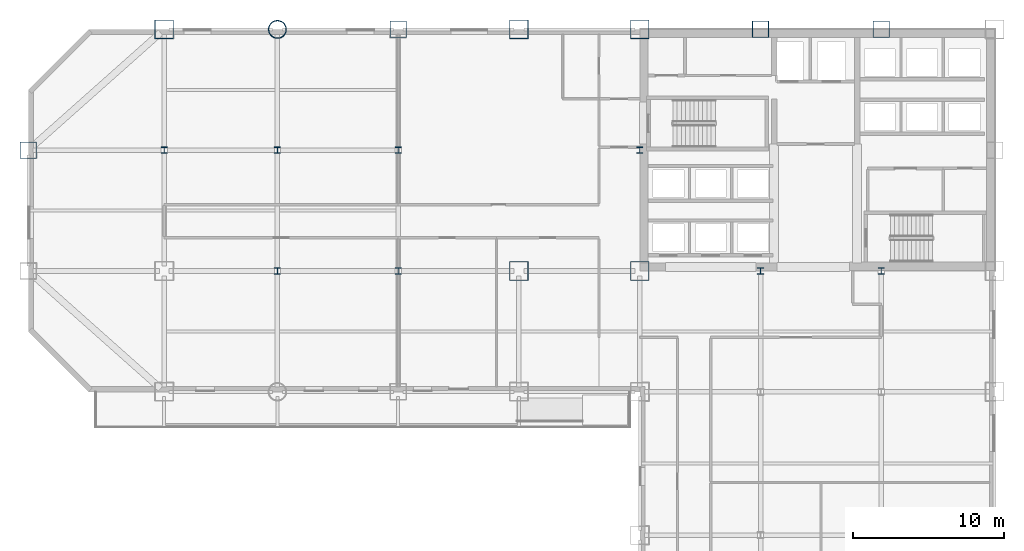
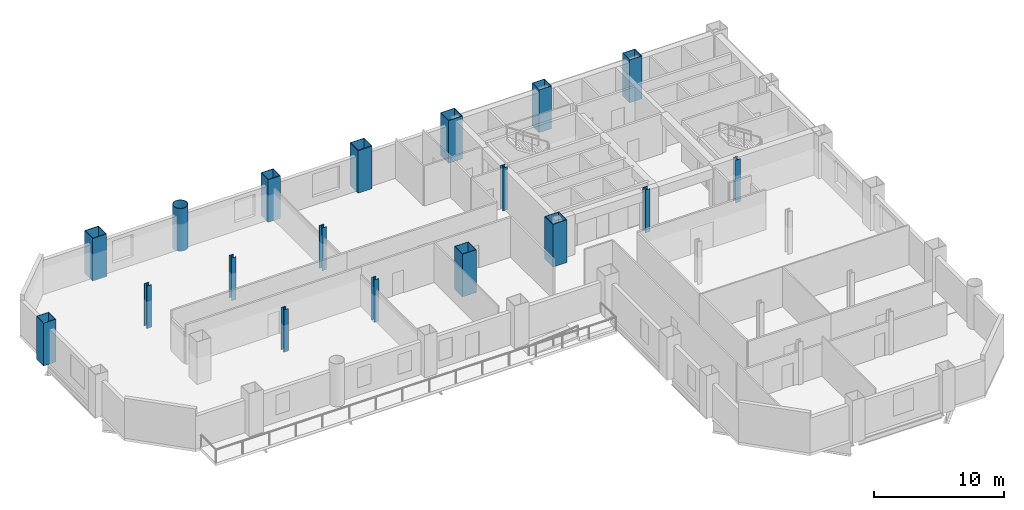
# One storey, part 2 of 9: 18 columns.
"""IFC4 building model written with IfcOpenShell, lengths in metres."""

from ifc_helpers import new_model, si_unit, direction, frame, origin, origin_2d, place, context, subcontext, project, spatial, hollow_rectangle, hollow_circle, i_section, extrude, material, material_profile, profile_set, type_object, element, save


model = new_model("IFC4")

# Units and contexts
model_context = context("Model", 3, precision=1e-05, world=origin(), true_north=direction((0.0, 1.0)))
body_context = subcontext(model_context, "Body", "Model", "MODEL_VIEW")
ifc_project = project(units=[si_unit("LENGTHUNIT", "METRE"), si_unit("AREAUNIT", "SQUARE_METRE"), si_unit("VOLUMEUNIT", "CUBIC_METRE"), si_unit("PLANEANGLEUNIT", "RADIAN"), si_unit("MASSUNIT", "GRAM", prefix="KILO")], contexts=[model_context])

# Site, building, storey
site_placement = place(None, origin())
site = spatial("IfcSite", under=ifc_project, at=site_placement, CompositionType="ELEMENT")
building_placement = place(site_placement, origin())
building = spatial("IfcBuilding", under=site, at=building_placement, Name="Qianrong Seaharbour Tower", CompositionType="ELEMENT")
storey_placement = place(building_placement, frame((0.0, 0.0, 64.199951171875)))
storey = spatial("IfcBuildingStorey", under=building, at=storey_placement, Name="L15", CompositionType="ELEMENT", Elevation=64.199951171875)

# Columns
ifc_material = material(Name="Structural steel SN490B", Category="steel")
ifc_material_profile_1 = material_profile(ifc_material, hollow_rectangle(XDim=1.25, YDim=1.25, WallThickness=0.044921875, at=origin_2d()), Name="BOX1250x1250x45")
ifc_profile_set_1 = profile_set([ifc_material_profile_1], Name="Structural steel SN490B")
column_type_1 = type_object("IfcColumnType", Name="COL-CFT-1250", PredefinedType="COLUMN", material=ifc_profile_set_1)
for number, where, z_axis, x_axis, name in (
    (1, (9.0, 52.0, 0.0), (0.0, 0.0, 1.0), (1.0, 0.0, 0.0), "L15 Column MC-2 at G2/GH"),
    (2, (32.5, 36.0, 0.0), (0.0, 0.0, 1.0), (1.0, 0.0, 0.0), "L15 Column MC-2 at G5/GF"),
    (3, (32.5, 52.0, 0.0), (0.0, 0.0, 1.0), (1.0, 0.0, 0.0), "L15 Column MC-2 at G5/GH"),
    (4, (40.5, 36.0, 0.0), (0.0, 0.0, 1.0), (1.0, 0.0, 0.0), "L15 Column MC-2 at G6/GF"),
    (5, (40.5, 52.0, 0.0), (0.0, 0.0, 1.0), (1.0, 0.0, 0.0), "L15 Column MC-2 at G6/GH"),
):
    element("IfcColumn", number, at=place(storey_placement, frame(where, z_axis=z_axis, x_axis=x_axis)), inside=storey, type_object=column_type_1, Name=name, PredefinedType="COLUMN", context=body_context, shape_type="SweptSolid", body=[
        extrude(hollow_rectangle(XDim=1.25, YDim=1.25, WallThickness=0.044921875, at=origin_2d()), origin(), (0.0, 0.0, 1.0), 4.0),
    ])
ifc_material_profile_2 = material_profile(ifc_material, hollow_circle(Radius=0.60009765625, WallThickness=0.0400390625, at=origin_2d()), Name="CHS1200x40")
ifc_profile_set_2 = profile_set([ifc_material_profile_2], Name="Structural steel SN490B")
column_type_2 = type_object("IfcColumnType", Name="COL-CHS-1200", PredefinedType="COLUMN", material=ifc_profile_set_2)
column_placement = place(storey_placement, frame((16.5, 52.0, 0.0), z_axis=(0.0, 0.0, 1.0), x_axis=(1.0, 0.0, 0.0)))
element("IfcColumn", 6, at=column_placement, inside=storey, type_object=column_type_2, Name="L15 Column CC-1 at G3/GH", PredefinedType="COLUMN", context=body_context, shape_type="SweptSolid", body=[
    extrude(hollow_circle(Radius=0.60009765625, WallThickness=0.0400390625, at=origin_2d()), origin(), (0.0, 0.0, 1.0), 4.0),
])
ifc_material_profile_3 = material_profile(ifc_material, i_section(OverallWidth=0.406982421875, OverallDepth=0.427978515625, WebThickness=0.02001953125, FlangeThickness=0.034912109375, FilletRadius=0.02197265625, at=origin_2d()), Name="H428x407x20x35")
ifc_profile_set_3 = profile_set([ifc_material_profile_3], Name="Structural steel SN490B")
column_type_3 = type_object("IfcColumnType", Name="COL-INT-H428", PredefinedType="COLUMN", material=ifc_profile_set_3)
for number, where, z_axis, x_axis, name in (
    (7, (9.0, 44.0, 0.0), (0.0, 0.0, 1.0), (1.0, 0.0, 0.0), "L15 Column IC-2 at G2/GG"),
    (8, (16.5, 36.0, 0.0), (0.0, 0.0, 1.0), (1.0, 0.0, 0.0), "L15 Column IC-2 at G3/GF"),
    (9, (16.5, 44.0, 0.0), (0.0, 0.0, 1.0), (1.0, 0.0, 0.0), "L15 Column IC-2 at G3/GG"),
    (10, (24.5, 36.0, 0.0), (0.0, 0.0, 1.0), (1.0, 0.0, 0.0), "L15 Column IC-2 at G4/GF"),
    (11, (24.5, 44.0, 0.0), (0.0, 0.0, 1.0), (1.0, 0.0, 0.0), "L15 Column IC-2 at G4/GG"),
    (12, (40.5, 44.0, 0.0), (0.0, 0.0, 1.0), (1.0, 0.0, 0.0), "L15 Column IC-2 at G6/GG"),
    (13, (48.5, 36.0, 0.0), (0.0, 0.0, 1.0), (1.0, 0.0, 0.0), "L15 Column IC-2 at G7/GF"),
    (14, (56.5, 36.0, 0.0), (0.0, 0.0, 1.0), (1.0, 0.0, 0.0), "L15 Column IC-2 at G8/GF"),
):
    element("IfcColumn", number, at=place(storey_placement, frame(where, z_axis=z_axis, x_axis=x_axis)), inside=storey, type_object=column_type_3, Name=name, PredefinedType="COLUMN", context=body_context, shape_type="SweptSolid", body=[
        extrude(i_section(OverallWidth=0.406982421875, OverallDepth=0.427978515625, WebThickness=0.02001953125, FlangeThickness=0.034912109375, FilletRadius=0.02197265625, at=origin_2d()), origin(), (0.0, 0.0, 1.0), 4.0),
    ])
ifc_material_profile_4 = material_profile(ifc_material, hollow_rectangle(XDim=1.10009765625, YDim=1.10009765625, WallThickness=0.0400390625, at=origin_2d()), Name="BOX1100x1100x40")
ifc_profile_set_4 = profile_set([ifc_material_profile_4], Name="Structural steel SN490B")
column_type_4 = type_object("IfcColumnType", Name="COL-PER-1100", PredefinedType="COLUMN", material=ifc_profile_set_4)
for number, where, z_axis, x_axis, name in (
    (15, (0.0, 44.0, 0.0), (0.0, 0.0, 1.0), (1.0, 0.0, 0.0), "L15 Column PC-1 at G1/GG"),
    (16, (24.5, 52.0, 0.0), (0.0, 0.0, 1.0), (1.0, 0.0, 0.0), "L15 Column PC-1 at G4/GH"),
    (17, (48.5, 52.0, 0.0), (0.0, 0.0, 1.0), (1.0, 0.0, 0.0), "L15 Column PC-1 at G7/GH"),
    (18, (56.5, 52.0, 0.0), (0.0, 0.0, 1.0), (1.0, 0.0, 0.0), "L15 Column PC-1 at G8/GH"),
):
    element("IfcColumn", number, at=place(storey_placement, frame(where, z_axis=z_axis, x_axis=x_axis)), inside=storey, type_object=column_type_4, Name=name, PredefinedType="COLUMN", context=body_context, shape_type="SweptSolid", body=[
        extrude(hollow_rectangle(XDim=1.10009765625, YDim=1.10009765625, WallThickness=0.0400390625, at=origin_2d()), origin(), (0.0, 0.0, 1.0), 4.0),
    ])

save(model, "model.ifc")
